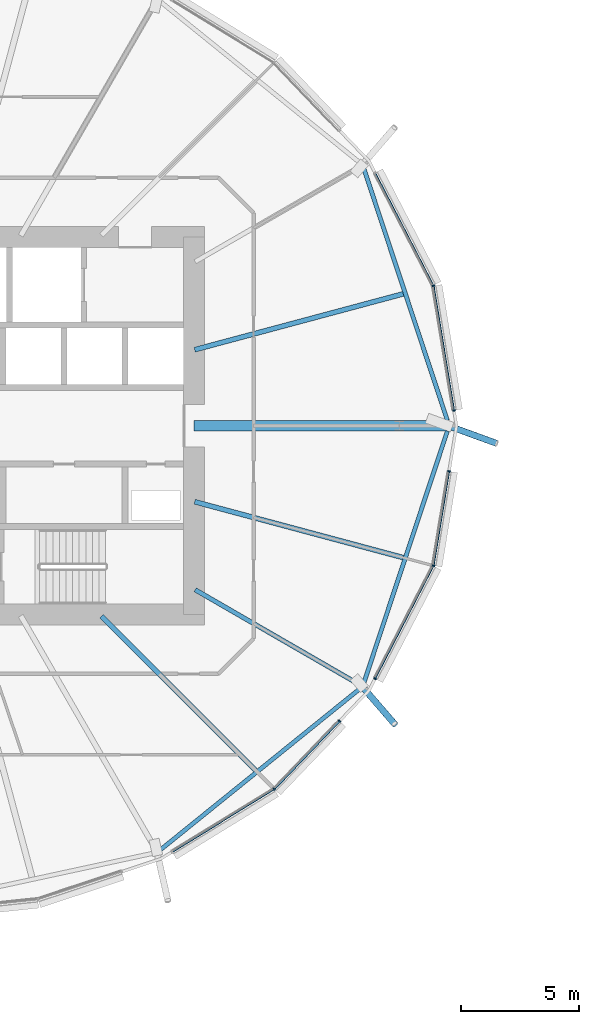
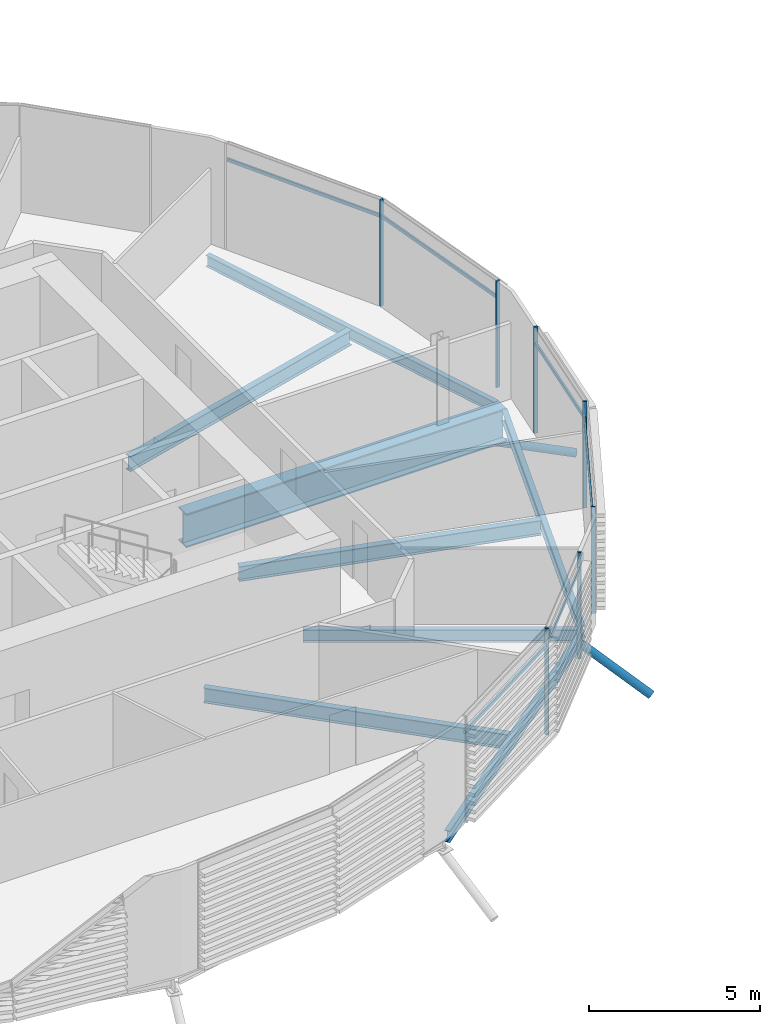
# One storey, part 7 of 38: 15 members, 8 beams, 1 element without a shape of its own.
"""IFC4 building model written with IfcOpenShell, lengths in metres."""

import ifcopenshell
import ifcopenshell.guid

model = None  # the IFC model being written
_history = None  # IfcOwnerHistory: only IFC2X3 demands one
_inside = {}  # id of a spatial element -> (the spatial element, [elements in it])
_under = {}  # id of a project, library or spatial element -> (it, [spatial elements below it])
_declared = {}  # id of a project -> (the project, [libraries it declares])
_typed = {}  # id of a type object -> (the type object, [elements of that type])
_made_of = {}  # id of a material, layer set ... -> (it, [elements and type objects made of it])


def new_model(schema):
    """Start an empty IFC model of exactly this schema.

    Asked for "IFC4X3", IfcOpenShell would pick the latest addendum, in which some entities
    have other attributes; the version numbers below select the first issue.
    IFC2X3 requires an IfcOwnerHistory on every rooted entity: one is made here for all.
    """
    global model, _history
    if schema == "IFC4X3":
        model = ifcopenshell.file(schema_version=(4, 3, 0, 0))
    else:
        model = ifcopenshell.file(schema=schema)
    _inside.clear()
    _under.clear()
    _declared.clear()
    _typed.clear()
    _made_of.clear()
    _history = None
    if model.schema == "IFC2X3":
        org = make("IfcOrganization", Name="unknown")
        user = make(
            "IfcPersonAndOrganization",
            ThePerson=make("IfcPerson", FamilyName="unknown"),
            TheOrganization=org,
        )
        app = make(
            "IfcApplication",
            ApplicationDeveloper=org,
            Version="unknown",
            ApplicationFullName="unknown",
            ApplicationIdentifier="unknown",
        )
        _history = make(
            "IfcOwnerHistory",
            OwningUser=user,
            OwningApplication=app,
            ChangeAction="ADDED",
            CreationDate=0,
        )
    return model


def make(cls, **values):
    """One entity of the class cls with the attributes given. An attribute that is None is left unset."""
    return model.create_entity(
        cls, **{name: value for name, value in values.items() if value is not None}
    )


def rooted(cls, **values):
    """An entity with a GlobalId (a new one), such as an element, a storey or a relation."""
    return make(cls, GlobalId=ifcopenshell.guid.new(), OwnerHistory=_history, **values)


def si_unit(unit_type, name, prefix=None):
    """IfcSIUnit, for example si_unit("LENGTHUNIT", "METRE", prefix="MILLI")."""
    return make("IfcSIUnit", UnitType=unit_type, Prefix=prefix, Name=name)


def assignment(units):
    """IfcUnitAssignment: the units of a project."""
    return None if units is None else make("IfcUnitAssignment", Units=units)


def point(xyz):
    """IfcCartesianPoint."""
    return None if xyz is None else make("IfcCartesianPoint", Coordinates=xyz)


def direction(xyz):
    """IfcDirection."""
    return None if xyz is None else make("IfcDirection", DirectionRatios=xyz)


def frame(location, z_axis=None, x_axis=None):
    """IfcAxis2Placement3D, a coordinate frame: its origin and axes. An axis left out is left unset."""
    return make(
        "IfcAxis2Placement3D",
        Location=point(location),
        Axis=direction(z_axis),
        RefDirection=direction(x_axis),
    )


def frame_2d(location, x_axis=None):
    """IfcAxis2Placement2D, a coordinate frame in the plane: its origin and x axis."""
    return make(
        "IfcAxis2Placement2D", Location=point(location), RefDirection=direction(x_axis)
    )


def origin():
    """The frame at (0, 0, 0) with its axes left unset."""
    return frame((0.0, 0.0, 0.0))


def origin_2d():
    """The frame at (0, 0) in the plane with its x axis left unset."""
    return frame_2d((0.0, 0.0))


def place(relative_to, where):
    """IfcLocalPlacement: puts the frame where relative to a parent placement (None: the world)."""
    return make(
        "IfcLocalPlacement", PlacementRelTo=relative_to, RelativePlacement=where
    )


def context(
    kind, dimensions, precision=None, world=None, true_north=None, identifier=None
):
    """IfcGeometricRepresentationContext, for example the 3D "Model" context."""
    return make(
        "IfcGeometricRepresentationContext",
        ContextIdentifier=identifier,
        ContextType=kind,
        CoordinateSpaceDimension=dimensions,
        Precision=precision,
        WorldCoordinateSystem=world,
        TrueNorth=true_north,
    )


def subcontext(parent, identifier, kind, view, scale=None):
    """IfcGeometricRepresentationSubContext, for example "Body" below "Model"."""
    return make(
        "IfcGeometricRepresentationSubContext",
        ContextIdentifier=identifier,
        ContextType=kind,
        ParentContext=parent,
        TargetScale=scale,
        TargetView=view,
    )


def project(units=None, contexts=None):
    """IfcProject with its units and contexts."""
    return rooted(
        "IfcProject",
        Name="project",
        RepresentationContexts=contexts,
        UnitsInContext=assignment(units),
    )


def spatial(cls, under=None, at=None, **own):
    """A site, building, storey or space (cls), placed at a placement, below another one or the project."""
    s = rooted(cls, ObjectPlacement=at, **own)
    if under is not None:
        _under.setdefault(under.id(), (under, []))[1].append(s)
    return s


def profile(cls, at=None, kind="AREA", **sizes):
    """A parametric profile (cls). Its sizes go by their IFC names, for example OverallWidth=200.0."""
    return make(cls, ProfileType=kind, Position=at, **sizes)


def rectangle(**sizes):
    """IfcRectangleProfileDef."""
    return profile("IfcRectangleProfileDef", **sizes)


def hollow_circle(**sizes):
    """IfcCircleHollowProfileDef."""
    return profile("IfcCircleHollowProfileDef", **sizes)


def i_section(**sizes):
    """IfcIShapeProfileDef."""
    return profile("IfcIShapeProfileDef", **sizes)


def extrude(swept, where, along, depth):
    """IfcExtrudedAreaSolid: the profile swept, set in the frame where, extruded along a direction by depth."""
    return make(
        "IfcExtrudedAreaSolid",
        SweptArea=swept,
        Position=where,
        ExtrudedDirection=direction(along),
        Depth=depth,
    )


def clip(a, b, op="DIFFERENCE"):
    """IfcBooleanClippingResult: the solid a cut by the half space b."""
    return make(
        "IfcBooleanClippingResult", Operator=op, FirstOperand=a, SecondOperand=b
    )


def halfspace(plane, agree):
    """IfcHalfSpaceSolid: all space on one side of the plane z = 0 of the frame plane."""
    return make(
        "IfcHalfSpaceSolid",
        BaseSurface=make("IfcPlane", Position=plane),
        AgreementFlag=agree,
    )


def shape(context_of_items, identifier, shape_type, items):
    """IfcShapeRepresentation: the items that make up one representation, for example the "Body"."""
    return make(
        "IfcShapeRepresentation",
        ContextOfItems=context_of_items,
        RepresentationIdentifier=identifier,
        RepresentationType=shape_type,
        Items=items,
    )


def material(Name=None, Category=None):
    """IfcMaterial."""
    return make("IfcMaterial", Name=Name, Category=Category)


def material_profile(
    of_material, cross_section, Name=None, Category=None, Priority=None
):
    """IfcMaterialProfile: a cross section and its material."""
    return make(
        "IfcMaterialProfile",
        Name=Name,
        Material=of_material,
        Profile=cross_section,
        Priority=Priority,
        Category=Category,
    )


def profile_set(profiles, Name=None, composite=None):
    """IfcMaterialProfileSet."""
    return make(
        "IfcMaterialProfileSet",
        Name=Name,
        MaterialProfiles=profiles,
        CompositeProfile=composite,
    )


def made_of(thing, what):
    """Note that an element or type object is made of a material, layer set ...; save() writes the relation."""
    if what is not None:
        _made_of.setdefault(what.id(), (what, []))[1].append(thing)
    return thing


def type_object(cls, material=None, **own):
    """A type object (cls), such as IfcWallType, which elements share."""
    return made_of(rooted(cls, **own), material)


def element(
    cls,
    number,
    at=None,
    inside=None,
    cuts=None,
    type_object=None,
    material=None,
    context=None,
    identifier="Body",
    shape_type=None,
    held_by="IfcProductDefinitionShape",
    body=None,
    shapes=None,
    **own,
):
    """One element of the class cls, such as IfcWall. Its Tag is "e" and its number.

    at: its placement. inside: the storey or other place that contains it. cuts: it is an
    opening in that element (IfcRelVoidsElement). A single representation is given by context,
    identifier, shape_type and body (its items); several are given by shapes. held_by: the class
    of the entity that holds the representations. save() writes the other relations.
    """
    e = rooted(cls, Tag="e%d" % number, ObjectPlacement=at, **own)
    if body is not None:
        shapes = [shape(context, identifier, shape_type, body)]
    if shapes is not None:
        e.Representation = make(held_by, Representations=shapes)
    if inside is not None:
        _inside.setdefault(inside.id(), (inside, []))[1].append(e)
    if cuts is not None:
        rooted(
            "IfcRelVoidsElement", RelatingBuildingElement=cuts, RelatedOpeningElement=e
        )
    if type_object is not None:
        _typed.setdefault(type_object.id(), (type_object, []))[1].append(e)
    return made_of(e, material)


def aggregate(whole, parts):
    """IfcRelAggregates: a whole, such as a stair, and the parts it consists of."""
    return rooted("IfcRelAggregates", RelatingObject=whole, RelatedObjects=parts)


def save(model, path):
    """Write the relations noted so far, then the file.

    IfcRelAggregates (storeys below a building ...), IfcRelContainedInSpatialStructure (elements
    in a storey), IfcRelDefinesByType, IfcRelAssociatesMaterial and IfcRelDeclares: one each for
    every whole, place, type object, material and project.
    """
    for whole, parts in _under.values():
        aggregate(whole, parts)
    for where, things in _inside.values():
        rooted(
            "IfcRelContainedInSpatialStructure",
            RelatedElements=things,
            RelatingStructure=where,
        )
    for kind, things in _typed.values():
        rooted("IfcRelDefinesByType", RelatedObjects=things, RelatingType=kind)
    for what, things in _made_of.values():
        rooted("IfcRelAssociatesMaterial", RelatedObjects=things, RelatingMaterial=what)
    for by, libraries in _declared.values():
        rooted("IfcRelDeclares", RelatingContext=by, RelatedDefinitions=libraries)
    model.write(path)


model = new_model("IFC4")

# Units and contexts
model_context = context("Model", 3, precision=1e-05, world=origin(), true_north=direction((0.0, 1.0)))
body_context = subcontext(model_context, "Body", "Model", "MODEL_VIEW")
ifc_project = project(units=[si_unit("LENGTHUNIT", "METRE"), si_unit("AREAUNIT", "SQUARE_METRE"), si_unit("VOLUMEUNIT", "CUBIC_METRE"), si_unit("PLANEANGLEUNIT", "RADIAN"), si_unit("MASSUNIT", "GRAM", prefix="KILO")], contexts=[model_context])

# Site, building, storey
site_placement = place(None, origin())
site = spatial("IfcSite", under=ifc_project, at=site_placement, CompositionType="ELEMENT")
building_placement = place(site_placement, origin())
building = spatial("IfcBuilding", under=site, at=building_placement, Name="Rimbun Link Towers", CompositionType="ELEMENT")
storey_placement = place(building_placement, frame((0.0, 0.0, 56.60009765625)))
storey = spatial("IfcBuildingStorey", under=building, at=storey_placement, Name="L13", CompositionType="ELEMENT", Elevation=56.60009765625)

# Curtain wall, members
ifc_material_1 = material(Name="Aluminium 6063-T6 and low-iron glass", Category="aluminium")
curtain_wall_type = type_object("IfcCurtainWallType", Name="CW1 unitised vision wall", PredefinedType="NOTDEFINED", material=ifc_material_1)
curtain_wall_placement = place(storey_placement, origin())
curtain_wall = element("IfcCurtainWall", 1, at=curtain_wall_placement, inside=storey, type_object=curtain_wall_type, Name="CW1 L13 T1", PredefinedType="NOTDEFINED")
ifc_material_2 = material(Name="Aluminium 6063-T6", Category="aluminium")
ifc_material_profile_1 = material_profile(ifc_material_2, rectangle(XDim=0.1201171875, YDim=0.06005859375, at=origin_2d()), Name="MULLION 60X120")
ifc_profile_set_1 = profile_set([ifc_material_profile_1], Name="Aluminium 6063-T6")
member_type_1 = type_object("IfcMemberType", Name="CW1 mullion 60X120", PredefinedType="MULLION", material=ifc_profile_set_1)
member_1_placement = place(storey_placement, frame((-9.595703125, 5.93994140625, 0.0), z_axis=(0.0, 0.0, 1.0), x_axis=(0.9491617925, 0.314788646011, 0.0)))
member_1 = element("IfcMember", 2, at=member_1_placement, type_object=member_type_1, Name="CW1 mullion", PredefinedType="MULLION", context=body_context, shape_type="SweptSolid", body=[
    extrude(rectangle(XDim=0.1201171875, YDim=0.06005859375, at=origin_2d()), origin(), (0.0, 0.0, 1.0), 3.7998046875),
])
member_2_placement = place(storey_placement, frame((-8.725341796875, 0.651123046875, 0.0), z_axis=(0.0, 0.0, 1.0), x_axis=(0.986746548815, 0.162269061749, 0.0)))
member_2 = element("IfcMember", 3, at=member_2_placement, type_object=member_type_1, Name="CW1 mullion", PredefinedType="MULLION", context=body_context, shape_type="SweptSolid", body=[
    extrude(rectangle(XDim=0.1201171875, YDim=0.06005859375, at=origin_2d()), origin(), (0.0, 0.0, 1.0), 3.7998046875),
])
member_3_placement = place(storey_placement, frame((-16.3466796875, -15.412353515625, 0.0), z_axis=(0.0, 0.0, 1.0), x_axis=(0.627665729285, -0.778482968524, 0.0)))
member_3 = element("IfcMember", 4, at=member_3_placement, type_object=member_type_1, Name="CW1 mullion", PredefinedType="MULLION", context=body_context, shape_type="SweptSolid", body=[
    extrude(rectangle(XDim=0.1201171875, YDim=0.06005859375, at=origin_2d()), origin(), (0.0, 0.0, 1.0), 3.7998046875),
])
member_4_placement = place(storey_placement, frame((-13.578857421875, -12.526123046875, 0.0), z_axis=(0.0, 0.0, 1.0), x_axis=(0.721834717261, -0.692065488922, 0.0)))
member_4 = element("IfcMember", 5, at=member_4_placement, type_object=member_type_1, Name="CW1 mullion", PredefinedType="MULLION", context=body_context, shape_type="SweptSolid", body=[
    extrude(rectangle(XDim=0.1201171875, YDim=0.06005859375, at=origin_2d()), origin(), (0.0, 0.0, 1.0), 3.7998046875),
])
member_5_placement = place(storey_placement, frame((-9.595703125, -5.93994140625, 0.0), z_axis=(0.0, 0.0, 1.0), x_axis=(0.9491617925, -0.314788646011, 0.0)))
member_5 = element("IfcMember", 6, at=member_5_placement, type_object=member_type_1, Name="CW1 mullion", PredefinedType="MULLION", context=body_context, shape_type="SweptSolid", body=[
    extrude(rectangle(XDim=0.1201171875, YDim=0.06005859375, at=origin_2d()), origin(), (0.0, 0.0, 1.0), 3.7998046875),
])
member_6_placement = place(storey_placement, frame((-12.070556640625, -10.724365234375, 0.0), z_axis=(0.0, 0.0, 1.0), x_axis=(0.888156623203, -0.459540871589, 0.0)))
member_6 = element("IfcMember", 7, at=member_6_placement, type_object=member_type_1, Name="CW1 mullion", PredefinedType="MULLION", context=body_context, shape_type="SweptSolid", body=[
    extrude(rectangle(XDim=0.1201171875, YDim=0.06005859375, at=origin_2d()), origin(), (0.0, 0.0, 1.0), 3.7998046875),
])
member_7_placement = place(storey_placement, frame((-8.936279296875, -1.933837890625, 0.0), z_axis=(0.0, 0.0, 1.0), x_axis=(0.986746548815, -0.162269061749, 0.0)))
member_7 = element("IfcMember", 8, at=member_7_placement, type_object=member_type_1, Name="CW1 mullion", PredefinedType="MULLION", context=body_context, shape_type="SweptSolid", body=[
    extrude(rectangle(XDim=0.1201171875, YDim=0.06005859375, at=origin_2d()), origin(), (0.0, 0.0, 1.0), 3.7998046875),
])
ifc_material_3 = material(Name="Aluminium 6063-T6", Category="aluminium")
ifc_material_profile_2 = material_profile(ifc_material_3, rectangle(XDim=0.06005859375, YDim=0.1201171875, at=origin_2d()), Name="TRANSOM 60X120")
ifc_profile_set_2 = profile_set([ifc_material_profile_2], Name="Aluminium 6063-T6")
member_type_2 = type_object("IfcMemberType", Name="CW1 transom 60X120", PredefinedType="USERDEFINED", material=ifc_profile_set_2)
member_8_placement = place(storey_placement, frame((-9.590576171875, 5.90087890625, 3.199951171875), z_axis=(0.162250916915, -0.986749532536, 0.0), x_axis=(0.986749532536, 0.162250916915, 0.0)))
member_8 = element("IfcMember", 9, at=member_8_placement, type_object=member_type_2, Name="CW1 transom", ObjectType="TRANSOM", PredefinedType="USERDEFINED", context=body_context, shape_type="SweptSolid", body=[
    extrude(rectangle(XDim=0.06005859375, YDim=0.1201171875, at=origin_2d()), origin(), (0.0, 0.0, 1.0), 5.29052734375),
])
member_9_placement = place(storey_placement, frame((-12.058349609375, 10.69677734375, 3.199951171875), z_axis=(0.459531590053, -0.888161425499, 0.0), x_axis=(0.888161425499, 0.459531590053, 0.0)))
member_9 = element("IfcMember", 10, at=member_9_placement, type_object=member_type_2, Name="CW1 transom", ObjectType="TRANSOM", PredefinedType="USERDEFINED", context=body_context, shape_type="SweptSolid", body=[
    extrude(rectangle(XDim=0.06005859375, YDim=0.1201171875, at=origin_2d()), origin(), (0.0, 0.0, 1.0), 5.317138671875),
])
member_10_placement = place(storey_placement, frame((-16.379638671875, -15.4306640625, 3.199951171875), z_axis=(-0.852174271699, -0.523258072708, 0.0), x_axis=(0.523258072708, -0.852174271699, 0.0)))
member_10 = element("IfcMember", 11, at=member_10_placement, type_object=member_type_2, Name="CW1 transom", ObjectType="TRANSOM", PredefinedType="USERDEFINED", context=body_context, shape_type="SweptSolid", body=[
    extrude(rectangle(XDim=0.06005859375, YDim=0.1201171875, at=origin_2d()), origin(), (0.0, 0.0, 1.0), 5.01611328125),
])
member_11_placement = place(storey_placement, frame((-13.60107421875, -12.54638671875, 3.199951171875), z_axis=(-0.692076647079, -0.721824019113, 0.0), x_axis=(0.721824019113, -0.692076647079, 0.0)))
member_11 = element("IfcMember", 12, at=member_11_placement, type_object=member_type_2, Name="CW1 transom", ObjectType="TRANSOM", PredefinedType="USERDEFINED", context=body_context, shape_type="SweptSolid", body=[
    extrude(rectangle(XDim=0.06005859375, YDim=0.1201171875, at=origin_2d()), origin(), (0.0, 0.0, 1.0), 3.93115234375),
])
member_12_placement = place(storey_placement, frame((-9.614990234375, -5.974365234375, 3.199951171875), z_axis=(-0.459531590053, -0.888161425499, 0.0), x_axis=(0.888161425499, -0.459531590053, 0.0)))
member_12 = element("IfcMember", 13, at=member_12_placement, type_object=member_type_2, Name="CW1 transom", ObjectType="TRANSOM", PredefinedType="USERDEFINED", context=body_context, shape_type="SweptSolid", body=[
    extrude(rectangle(XDim=0.06005859375, YDim=0.1201171875, at=origin_2d()), origin(), (0.0, 0.0, 1.0), 5.317138671875),
])
member_13_placement = place(storey_placement, frame((-8.943115234375, -1.963134765625, 3.199951171875), z_axis=(-0.162245768812, -0.986750379023, 0.0), x_axis=(0.986750379023, -0.162245768812, 0.0)))
member_13 = element("IfcMember", 14, at=member_13_placement, type_object=member_type_2, Name="CW1 transom", ObjectType="TRANSOM", PredefinedType="USERDEFINED", context=body_context, shape_type="SweptSolid", body=[
    extrude(rectangle(XDim=0.06005859375, YDim=0.1201171875, at=origin_2d()), origin(), (0.0, 0.0, 1.0), 3.99072265625),
])
aggregate(curtain_wall, [member_1, member_2, member_3, member_4, member_5, member_6, member_7, member_8, member_9, member_10, member_11, member_12, member_13])

# Members
ifc_material_4 = material(Name="Steel S355J2H", Category="steel")
ifc_material_profile_3 = material_profile(ifc_material_4, hollow_circle(Radius=0.136474609375, WallThickness=0.012451171875, at=origin_2d()), Name="CHS 273x12.5")
ifc_profile_set_3 = profile_set([ifc_material_profile_3], Name="Steel S355J2H")
member_type_3 = type_object("IfcMemberType", Name="Floor edge link CHS 273x12.5", PredefinedType="BRACE", material=ifc_profile_set_3)
member_14_placement = place(storey_placement, frame((-8.982421875, 0.0, -1.4912109375), z_axis=(0.90227596708, -0.326761048574, -0.281292190371), x_axis=(0.340510108841, 0.940240855195, 0.0)))
element("IfcMember", 15, at=member_14_placement, inside=storey, type_object=member_type_3, Name="Floor edge link T1 L13 00", PredefinedType="BRACE", context=body_context, shape_type="Clipping", body=[
    clip(extrude(hollow_circle(Radius=0.136474609375, WallThickness=0.012451171875, at=origin_2d()), frame((0.0, 0.0, -0.966796875)), (0.0, 0.0, 1.0), 3.270263671875), halfspace(frame((0.0, 0.0, -0.458984375), z_axis=(0.0, 0.959622167124, -0.281292190371)), False)),
])
member_15_placement = place(storey_placement, frame((-12.642578125, -11.031494140625, -0.729736328125), z_axis=(0.558796695114, -0.645825569844, -0.520245698555), x_axis=(0.756221299742, 0.654315937309, 0.0)))
element("IfcMember", 16, at=member_15_placement, inside=storey, type_object=member_type_3, Name="Floor edge link T1 L13 22", PredefinedType="BRACE", context=body_context, shape_type="Clipping", body=[
    clip(extrude(hollow_circle(Radius=0.136474609375, WallThickness=0.012451171875, at=origin_2d()), frame((0.0, 0.0, -0.46728515625)), (0.0, 0.0, 1.0), 3.00048828125), halfspace(frame((0.0, 0.0, -0.219482421875), z_axis=(0.0, 0.854016635163, -0.520245698555)), False)),
])

# Beams
ifc_material_5 = material(Name="Steel S355J2", Category="steel")
ifc_material_profile_4 = material_profile(ifc_material_5, i_section(OverallWidth=0.449951171875, OverallDepth=1.199951171875, WebThickness=0.030029296875, FlangeThickness=0.044921875, at=origin_2d()), Name="PG 1200x450x30/45")
ifc_profile_set_4 = profile_set([ifc_material_profile_4], Name="Steel S355J2")
beam_type_1 = type_object("IfcBeamType", Name="PG 1200x450x30/45", PredefinedType="BEAM", material=ifc_profile_set_4)
beam_1_placement = place(storey_placement, frame((-19.7490234375, 0.0, -0.760009765625), z_axis=(1.0, 0.0, 0.0), x_axis=(0.0, 1.0, 0.0)))
element("IfcBeam", 17, at=beam_1_placement, inside=storey, type_object=beam_type_1, Name="Radial beam T1 L13 00", PredefinedType="BEAM", context=body_context, shape_type="SweptSolid", body=[
    extrude(i_section(OverallWidth=0.449951171875, OverallDepth=1.199951171875, WebThickness=0.030029296875, FlangeThickness=0.044921875, at=origin_2d()), origin(), (0.0, 0.0, 1.0), 10.816650390625),
])
ifc_material_6 = material(Name="Steel S355J2", Category="steel")
ifc_material_profile_5 = material_profile(ifc_material_6, i_section(OverallWidth=0.177978515625, OverallDepth=0.406494140625, WebThickness=0.0078125, FlangeThickness=0.0126953125, at=origin_2d()), Name="UB 406x178x60")
ifc_profile_set_5 = profile_set([ifc_material_profile_5], Name="Steel S355J2")
beam_type_2 = type_object("IfcBeamType", Name="UB 406x178x60", PredefinedType="BEAM", material=ifc_profile_set_5)
beam_2_placement = place(storey_placement, frame((-9.00732421875, 0.225830078125, -0.36328125), z_axis=(-0.314796610773, 0.949159150957, 0.0), x_axis=(-0.949159150957, -0.314796610773, 0.0)))
element("IfcBeam", 18, at=beam_2_placement, inside=storey, type_object=beam_type_2, Name="Edge beam T1 L13 00-02", PredefinedType="BEAM", context=body_context, shape_type="SweptSolid", body=[
    extrude(i_section(OverallWidth=0.177978515625, OverallDepth=0.406494140625, WebThickness=0.0078125, FlangeThickness=0.0126953125, at=origin_2d()), origin(), (0.0, 0.0, 1.0), 11.31298828125),
])
beam_3_placement = place(storey_placement, frame((-21.21630859375, -18.015380859375, -0.36328125), z_axis=(0.77798007957, 0.628288942917, 0.0), x_axis=(-0.628288942917, 0.77798007957, 0.0)))
element("IfcBeam", 19, at=beam_3_placement, inside=storey, type_object=beam_type_2, Name="Edge beam T1 L13 20-22", PredefinedType="BEAM", context=body_context, shape_type="SweptSolid", body=[
    extrude(i_section(OverallWidth=0.177978515625, OverallDepth=0.406494140625, WebThickness=0.0078125, FlangeThickness=0.0126953125, at=origin_2d()), origin(), (0.0, 0.0, 1.0), 10.97314453125),
])
beam_4_placement = place(storey_placement, frame((-12.568603515625, -10.963623046875, -0.36328125), z_axis=(0.314796610773, 0.949159150957, 0.0), x_axis=(-0.949159150957, 0.314796610773, 0.0)))
element("IfcBeam", 20, at=beam_4_placement, inside=storey, type_object=beam_type_2, Name="Edge beam T1 L13 22-00", PredefinedType="BEAM", context=body_context, shape_type="SweptSolid", body=[
    extrude(i_section(OverallWidth=0.177978515625, OverallDepth=0.406494140625, WebThickness=0.0078125, FlangeThickness=0.0126953125, at=origin_2d()), origin(), (0.0, 0.0, 1.0), 11.31298828125),
])
ifc_material_7 = material(Name="Steel S355J2", Category="steel")
ifc_material_profile_6 = material_profile(ifc_material_7, i_section(OverallWidth=0.18994140625, OverallDepth=0.453369140625, WebThickness=0.008544921875, FlangeThickness=0.0126953125, at=origin_2d()), Name="UB 457x191x67")
ifc_profile_set_6 = profile_set([ifc_material_profile_6], Name="Steel S355J2")
beam_type_3 = type_object("IfcBeamType", Name="UB 457x191x67", PredefinedType="BEAM", material=ifc_profile_set_6)
beam_5_placement = place(storey_placement, frame((-19.70166015625, -6.9560546875, -0.38671875), z_axis=(0.866021493816, -0.500006772202, 0.0), x_axis=(0.500006772202, 0.866021493816, 0.0)))
element("IfcBeam", 21, at=beam_5_placement, inside=storey, type_object=beam_type_3, Name="Radial beam T1 L13 22", PredefinedType="BEAM", context=body_context, shape_type="SweptSolid", body=[
    extrude(i_section(OverallWidth=0.18994140625, OverallDepth=0.453369140625, WebThickness=0.008544921875, FlangeThickness=0.0126953125, at=origin_2d()), origin(), (0.0, 0.0, 1.0), 8.201171875),
])
ifc_material_8 = material(Name="Steel S355J2", Category="steel")
ifc_material_profile_7 = material_profile(ifc_material_8, i_section(OverallWidth=0.209228515625, OverallDepth=0.533203125, WebThickness=0.010009765625, FlangeThickness=0.015625, at=origin_2d()), Name="UB 533x210x92")
ifc_profile_set_7 = profile_set([ifc_material_profile_7], Name="Steel S355J2")
beam_type_4 = type_object("IfcBeamType", Name="UB 533x210x92", PredefinedType="BEAM", material=ifc_profile_set_7)
beam_6_placement = place(storey_placement, frame((-19.721923828125, 3.222900390625, -0.426513671875), z_axis=(0.96592209333, 0.258832976293, 0.0), x_axis=(-0.258832976293, 0.96592209333, 0.0)))
element("IfcBeam", 22, at=beam_6_placement, inside=storey, type_object=beam_type_4, Name="Radial beam T1 L13 01", PredefinedType="BEAM", context=body_context, shape_type="SweptSolid", body=[
    extrude(i_section(OverallWidth=0.209228515625, OverallDepth=0.533203125, WebThickness=0.010009765625, FlangeThickness=0.015625, at=origin_2d()), origin(), (0.0, 0.0, 1.0), 9.152099609375),
])
beam_7_placement = place(storey_placement, frame((-23.67529296875, -8.07470703125, -0.426513671875), z_axis=(0.707106781187, -0.707106781187, 0.0), x_axis=(0.707106781187, 0.707106781187, 0.0)))
element("IfcBeam", 23, at=beam_7_placement, inside=storey, type_object=beam_type_4, Name="Radial beam T1 L13 21", PredefinedType="BEAM", context=body_context, shape_type="SweptSolid", body=[
    extrude(i_section(OverallWidth=0.209228515625, OverallDepth=0.533203125, WebThickness=0.010009765625, FlangeThickness=0.015625, at=origin_2d()), origin(), (0.0, 0.0, 1.0), 9.24072265625),
])
beam_8_placement = place(storey_placement, frame((-19.721923828125, -3.222900390625, -0.426513671875), z_axis=(0.96592209333, -0.258832976293, 0.0), x_axis=(0.258832976293, 0.96592209333, 0.0)))
element("IfcBeam", 24, at=beam_8_placement, inside=storey, type_object=beam_type_4, Name="Radial beam T1 L13 23", PredefinedType="BEAM", context=body_context, shape_type="SweptSolid", body=[
    extrude(i_section(OverallWidth=0.209228515625, OverallDepth=0.533203125, WebThickness=0.010009765625, FlangeThickness=0.015625, at=origin_2d()), origin(), (0.0, 0.0, 1.0), 9.152099609375),
])

save(model, "model.ifc")
